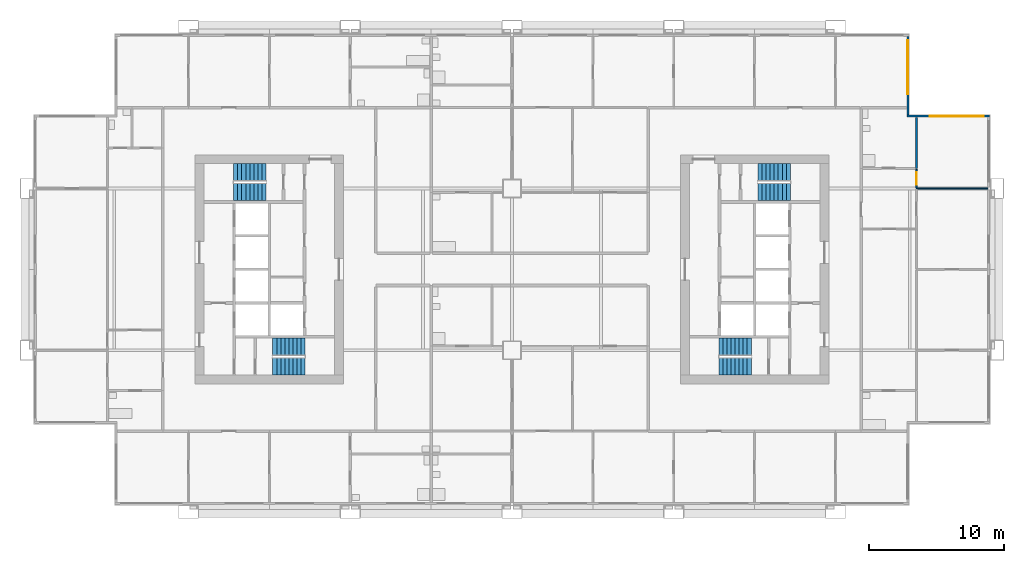
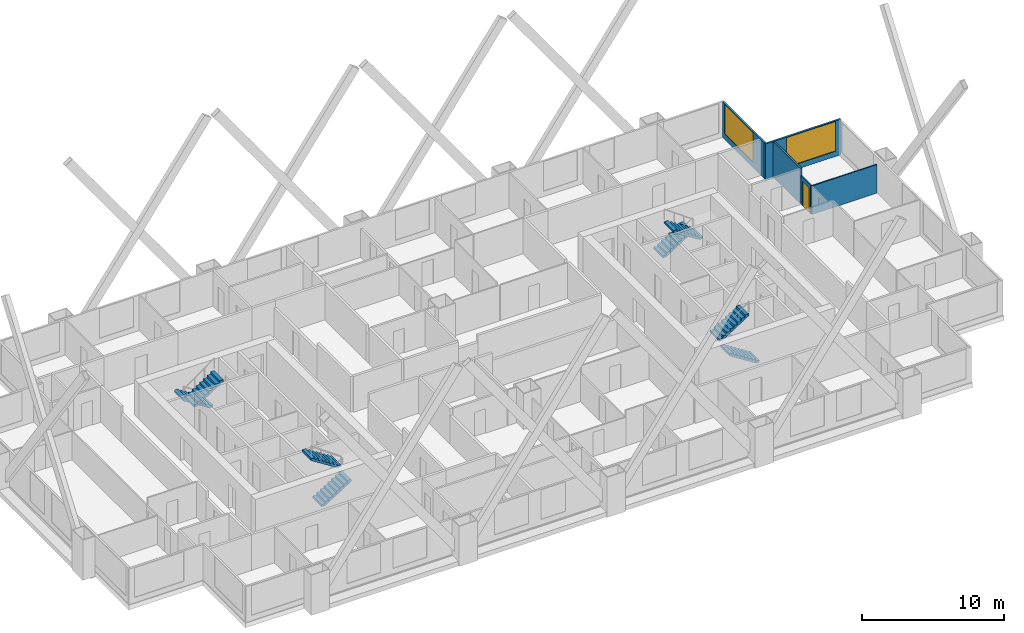
# One storey, part 9 of 11: 8 stair flights, 5 walls, 2 windows, 1 door, 3 openings, 4 elements without a shape of their own.
"""IFC4 building model written with IfcOpenShell, lengths in metres."""

from ifc_helpers import new_model, si_unit, direction, frame, frame_2d, origin, place, context, subcontext, project, spatial, polyline, rectangle, outline, extrude, material, layer, layer_set, type_object, element, fill, aggregate, save


model = new_model("IFC4")

# Units and contexts
model_context = context("Model", 3, precision=1e-05, world=origin(), true_north=direction((0.0, 1.0)))
body_context = subcontext(model_context, "Body", "Model", "MODEL_VIEW")
ifc_project = project(units=[si_unit("LENGTHUNIT", "METRE"), si_unit("AREAUNIT", "SQUARE_METRE"), si_unit("VOLUMEUNIT", "CUBIC_METRE"), si_unit("PLANEANGLEUNIT", "RADIAN"), si_unit("MASSUNIT", "GRAM", prefix="KILO")], contexts=[model_context])

# Site, building, storey
site_placement = place(None, origin())
site = spatial("IfcSite", under=ifc_project, at=site_placement, CompositionType="ELEMENT")
building_placement = place(site_placement, origin())
building = spatial("IfcBuilding", under=site, at=building_placement, Name="Kitamizu Gate Tower and Museum", CompositionType="ELEMENT")
storey_placement = place(building_placement, frame((0.0, 0.0, 113.85009765625)))
storey = spatial("IfcBuildingStorey", under=building, at=storey_placement, Name="L29", CompositionType="ELEMENT", Elevation=113.85009765625)

# Wall
ifc_material_1 = material(Name="Gypsum board on galvanised stud")
ifc_layer_1 = layer(ifc_material_1, 0.10009765625)
ifc_layer_set_1 = layer_set([ifc_layer_1], Name="Gypsum board on galvanised stud")
wall_type_1 = type_object("IfcWallType", Name="Partition 100 NOT RATED", PredefinedType="PARTITIONING", material=ifc_layer_set_1)
wall_1_placement = place(storey_placement, frame((71.280029296875, 36.0, 0.0), z_axis=(0.0, 0.0, 1.0), x_axis=(-1.0, 0.0, 0.0)))
element("IfcWall", 1, at=wall_1_placement, inside=storey, type_object=wall_type_1, Name="Partition L29-073", PredefinedType="PARTITIONING", context=body_context, shape_type="SweptSolid", body=[
    extrude(rectangle(XDim=5.280029296875, YDim=0.10009765625, at=frame_2d((2.64013671875, 0.0))), origin(), (0.0, 0.0, 1.0), 2.449951171875),
])

# Wall, opening, door
wall_2_placement = place(storey_placement, frame((66.0, 37.425048828125, 0.0), z_axis=(0.0, 0.0, 1.0), x_axis=(0.0, -1.0, 0.0)))
wall_2 = element("IfcWall", 2, at=wall_2_placement, inside=storey, type_object=wall_type_1, Name="Partition L29-076", PredefinedType="PARTITIONING", context=body_context, shape_type="SweptSolid", body=[
    extrude(rectangle(XDim=1.375, YDim=0.10009765625, at=frame_2d((0.6875, 0.0))), origin(), (0.0, 0.0, 1.0), 2.449951171875),
])
opening_1_placement = place(wall_2_placement, frame((0.237548828125, 0.0, 0.0)))
opening_1 = element("IfcOpeningElement", 3, at=opening_1_placement, cuts=wall_2, Name="Opening L29-028", PredefinedType="OPENING", context=body_context, shape_type="SweptSolid", body=[
    extrude(rectangle(XDim=0.89990234375, YDim=2.10009765625, at=frame_2d((0.449951171875, 1.050048828125))), frame((0.0, 0.06005859375, 0.0), z_axis=(0.0, -1.0, 0.0), x_axis=(1.0, 0.0, 0.0)), (0.0, 0.0, 1.0), 0.1201171875),
])
ifc_material_2 = material(Name="Timber door set", Category="wood")
door_type = type_object("IfcDoorType", Name="Room door 900", OperationType="NOTDEFINED", PredefinedType="DOOR", material=ifc_material_2)
door_placement = place(opening_1_placement, origin())
door = element("IfcDoor", 4, at=door_placement, inside=storey, type_object=door_type, Name="Door L29-028", OperationType="SINGLE_SWING_LEFT", OverallHeight=2.10009765625, OverallWidth=0.89990234375, PredefinedType="DOOR", context=body_context, shape_type="SweptSolid", body=[
    extrude(rectangle(XDim=0.89990234375, YDim=2.10009765625, at=frame_2d((0.449951171875, 1.050048828125))), frame((0.0, 0.02490234375, 0.0), z_axis=(0.0, -1.0, 0.0), x_axis=(1.0, 0.0, 0.0)), (0.0, 0.0, 1.0), 0.050048828125),
])
fill(opening_1, door)

# Wall
ifc_material_3 = material(Name="Gypsum board on galvanised stud")
ifc_layer_2 = layer(ifc_material_3, 0.14990234375)
ifc_layer_set_2 = layer_set([ifc_layer_2], Name="Gypsum board on galvanised stud")
wall_type_2 = type_object("IfcWallType", Name="Partition 150", PredefinedType="PARTITIONING", material=ifc_layer_set_2)
wall_3_placement = place(storey_placement, frame((66.0, 41.280029296875, 0.0), z_axis=(0.0, 0.0, 1.0), x_axis=(0.0, -1.0, 0.0)))
element("IfcWall", 5, at=wall_3_placement, inside=storey, type_object=wall_type_2, Name="Partition L29-077", PredefinedType="PARTITIONING", context=body_context, shape_type="SweptSolid", body=[
    extrude(rectangle(XDim=3.780029296875, YDim=0.14990234375, at=frame_2d((1.89013671875, 0.0))), origin(), (0.0, 0.0, 1.0), 3.0498046875),
])

# Wall, opening, window
ifc_material_4 = material(Name="Bronze anodised aluminium frame with insulated spandrel and tinted glass", Category="aluminium")
ifc_layer_3 = layer(ifc_material_4, 0.14990234375)
ifc_layer_set_3 = layer_set([ifc_layer_3], Name="Bronze anodised aluminium frame with insulated spandrel and tinted glass")
wall_type_3 = type_object("IfcWallType", Name="WINDOW WALL 150 BRONZE FRAME EI 30", PredefinedType="ELEMENTEDWALL", material=ifc_layer_set_3)
wall_4_placement = place(storey_placement, frame((65.2900390625, 41.364990234375, 0.0), z_axis=(0.0, 0.0, 1.0), x_axis=(1.0, 0.0, 0.0)))
wall_4 = element("IfcWall", 6, at=wall_4_placement, inside=storey, type_object=wall_type_3, Name="Window wall north L29", PredefinedType="ELEMENTEDWALL", context=body_context, shape_type="SweptSolid", body=[
    extrude(rectangle(XDim=6.14990234375, YDim=0.14990234375, at=frame_2d((3.074951171875, 0.0))), origin(), (0.0, 0.0, 1.0), 3.0498046875),
])
opening_2_placement = place(wall_4_placement, frame((1.7099609375, 0.0, 0.449951171875)))
opening_2 = element("IfcOpeningElement", 7, at=opening_2_placement, cuts=wall_4, Name="Opening W16", PredefinedType="OPENING", context=body_context, shape_type="SweptSolid", body=[
    extrude(rectangle(XDim=4.0, YDim=2.550048828125, at=frame_2d((2.0, 1.27490234375))), frame((0.0, 0.0849609375, 0.0), z_axis=(0.0, -1.0, 0.0), x_axis=(1.0, 0.0, 0.0)), (0.0, 0.0, 1.0), 0.169921875),
])
ifc_material_5 = material(Name="Bronze anodised aluminium frame, tinted triple glazing", Category="aluminium")
window_type = type_object("IfcWindowType", Name="WINDOW 4000 x 2550 SILL 450", PartitioningType="SINGLE_PANEL", PredefinedType="WINDOW", material=ifc_material_5)
window_1_placement = place(opening_2_placement, origin())
window_1 = element("IfcWindow", 8, at=window_1_placement, inside=storey, type_object=window_type, Name="Window W16 L29", OverallHeight=2.550048828125, OverallWidth=4.0, PartitioningType="SINGLE_PANEL", PredefinedType="WINDOW", context=body_context, shape_type="SweptSolid", body=[
    extrude(rectangle(XDim=4.0, YDim=2.550048828125, at=frame_2d((2.0, 1.27490234375))), frame((0.0, 0.030029296875, 0.0), z_axis=(0.0, -1.0, 0.0), x_axis=(1.0, 0.0, 0.0)), (0.0, 0.0, 1.0), 0.06005859375),
])
fill(opening_2, window_1)

wall_5_placement = place(storey_placement, frame((65.364990234375, 41.43994140625, 0.0), z_axis=(0.0, 0.0, 1.0), x_axis=(0.0, 1.0, 0.0)))
wall_5 = element("IfcWall", 9, at=wall_5_placement, inside=storey, type_object=wall_type_3, Name="Window wall east L29", PredefinedType="ELEMENTEDWALL", context=body_context, shape_type="SweptSolid", body=[
    extrude(rectangle(XDim=5.85009765625, YDim=0.14990234375, at=frame_2d((2.925048828125, 0.0))), origin(), (0.0, 0.0, 1.0), 3.0498046875),
])
opening_3_placement = place(wall_5_placement, frame((1.56005859375, 0.0, 0.449951171875)))
opening_3 = element("IfcOpeningElement", 10, at=opening_3_placement, cuts=wall_5, Name="Opening W16", PredefinedType="OPENING", context=body_context, shape_type="SweptSolid", body=[
    extrude(rectangle(XDim=4.0, YDim=2.550048828125, at=frame_2d((2.0, 1.27490234375))), frame((0.0, 0.0849609375, 0.0), z_axis=(0.0, -1.0, 0.0), x_axis=(1.0, 0.0, 0.0)), (0.0, 0.0, 1.0), 0.169921875),
])
window_2_placement = place(opening_3_placement, origin())
window_2 = element("IfcWindow", 11, at=window_2_placement, inside=storey, type_object=window_type, Name="Window W16 L29", OverallHeight=2.550048828125, OverallWidth=4.0, PartitioningType="SINGLE_PANEL", PredefinedType="WINDOW", context=body_context, shape_type="SweptSolid", body=[
    extrude(rectangle(XDim=4.0, YDim=2.550048828125, at=frame_2d((2.0, 1.27490234375))), frame((0.0, 0.030029296875, 0.0), z_axis=(0.0, -1.0, 0.0), x_axis=(1.0, 0.0, 0.0)), (0.0, 0.0, 1.0), 0.06005859375),
])
fill(opening_3, window_2)

# Stair, stair flights
ifc_material_6 = material(Name="Concrete Fc42", Category="concrete")
stair_type = type_object("IfcStairType", Name="Exit stair 1275 wide 192 rise 300 going", PredefinedType="HALF_TURN_STAIR", material=ifc_material_6)
stair_1_placement = place(storey_placement, origin())
stair_1 = element("IfcStair", 12, at=stair_1_placement, inside=storey, type_object=stair_type, Name="Exit stair ST1", PredefinedType="HALF_TURN_STAIR")
ifc_material_7 = material(Name="Concrete Fc42", Category="concrete")
stair_flight_type = type_object("IfcStairFlightType", Name="Stair flight 1275 wide 192 rise 300 going", PredefinedType="STRAIGHT", material=ifc_material_7)
stair_flight_1_placement = place(storey_placement, frame((18.25, 22.78759765625, 0.0), z_axis=(0.0, 0.0, 1.0), x_axis=(1.0, 0.0, 0.0)))
stair_flight_1 = element("IfcStairFlight", 13, at=stair_flight_1_placement, type_object=stair_flight_type, Name="ST1 flight 1", NumberOfRisers=9, NumberOfTreads=8, PredefinedType="STRAIGHT", RiserHeight=0.191666667, TreadLength=0.3, context=body_context, shape_type="SweptSolid", body=[
    extrude(outline(polyline([(0.0, 0.0), (0.0, 0.191650390625), (0.300048828125, 0.191650390625), (0.300048828125, 0.38330078125), (0.60009765625, 0.38330078125), (0.60009765625, 0.574951171875), (0.89990234375, 0.574951171875), (0.89990234375, 0.7666015625), (1.199951171875, 0.7666015625), (1.199951171875, 0.958251953125), (1.5, 0.958251953125), (1.5, 1.14990234375), (1.800048828125, 1.14990234375), (1.800048828125, 1.341552734375), (2.10009765625, 1.341552734375), (2.10009765625, 1.533447265625), (2.39990234375, 1.533447265625), (2.39990234375, 1.72509765625), (2.39990234375, 1.35546875), (0.2783203125, 0.0), (0.0, 0.0)])), frame((0.0, 0.637451171875, 0.0), z_axis=(0.0, -1.0, 0.0), x_axis=(1.0, 0.0, 0.0)), (0.0, 0.0, 1.0), 1.27490234375),
])
stair_flight_2_placement = place(storey_placement, frame((20.64990234375, 24.262451171875, 1.724853515625), z_axis=(0.0, 0.0, 1.0), x_axis=(-1.0, 0.0, 0.0)))
stair_flight_2 = element("IfcStairFlight", 14, at=stair_flight_2_placement, type_object=stair_flight_type, Name="ST1 flight 2", NumberOfRisers=9, NumberOfTreads=8, PredefinedType="STRAIGHT", RiserHeight=0.191666667, TreadLength=0.3, context=body_context, shape_type="SweptSolid", body=[
    extrude(outline(polyline([(0.0, 0.0), (0.0, 0.191650390625), (0.300048828125, 0.191650390625), (0.300048828125, 0.38330078125), (0.60009765625, 0.38330078125), (0.60009765625, 0.574951171875), (0.89990234375, 0.574951171875), (0.89990234375, 0.7666015625), (1.199951171875, 0.7666015625), (1.199951171875, 0.958251953125), (1.5, 0.958251953125), (1.5, 1.14990234375), (1.800048828125, 1.14990234375), (1.800048828125, 1.341552734375), (2.10009765625, 1.341552734375), (2.10009765625, 1.533447265625), (2.39990234375, 1.533447265625), (2.39990234375, 1.72509765625), (2.39990234375, 1.35546875), (0.2783203125, 0.0), (0.0, 0.0)])), frame((0.0, 0.637451171875, 0.0), z_axis=(0.0, -1.0, 0.0), x_axis=(1.0, 0.0, 0.0)), (0.0, 0.0, 1.0), 1.27490234375),
])
aggregate(stair_1, [stair_flight_1, stair_flight_2])

stair_2_placement = place(storey_placement, origin())
stair_2 = element("IfcStair", 15, at=stair_2_placement, inside=storey, type_object=stair_type, Name="Exit stair ST2", PredefinedType="HALF_TURN_STAIR")
stair_flight_3_placement = place(storey_placement, frame((17.75, 37.21240234375, 0.0), z_axis=(0.0, 0.0, 1.0), x_axis=(-1.0, 0.0, 0.0)))
stair_flight_3 = element("IfcStairFlight", 16, at=stair_flight_3_placement, type_object=stair_flight_type, Name="ST2 flight 1", NumberOfRisers=9, NumberOfTreads=8, PredefinedType="STRAIGHT", RiserHeight=0.191666667, TreadLength=0.3, context=body_context, shape_type="SweptSolid", body=[
    extrude(outline(polyline([(0.0, 0.0), (0.0, 0.191650390625), (0.300048828125, 0.191650390625), (0.300048828125, 0.38330078125), (0.60009765625, 0.38330078125), (0.60009765625, 0.574951171875), (0.89990234375, 0.574951171875), (0.89990234375, 0.7666015625), (1.199951171875, 0.7666015625), (1.199951171875, 0.958251953125), (1.5, 0.958251953125), (1.5, 1.14990234375), (1.800048828125, 1.14990234375), (1.800048828125, 1.341552734375), (2.10009765625, 1.341552734375), (2.10009765625, 1.533447265625), (2.39990234375, 1.533447265625), (2.39990234375, 1.72509765625), (2.39990234375, 1.35546875), (0.2783203125, 0.0), (0.0, 0.0)])), frame((0.0, 0.637451171875, 0.0), z_axis=(0.0, -1.0, 0.0), x_axis=(1.0, 0.0, 0.0)), (0.0, 0.0, 1.0), 1.27490234375),
])
stair_flight_4_placement = place(storey_placement, frame((15.35009765625, 35.737548828125, 1.724853515625), z_axis=(0.0, 0.0, 1.0), x_axis=(1.0, 0.0, 0.0)))
stair_flight_4 = element("IfcStairFlight", 17, at=stair_flight_4_placement, type_object=stair_flight_type, Name="ST2 flight 2", NumberOfRisers=9, NumberOfTreads=8, PredefinedType="STRAIGHT", RiserHeight=0.191666667, TreadLength=0.3, context=body_context, shape_type="SweptSolid", body=[
    extrude(outline(polyline([(0.0, 0.0), (0.0, 0.191650390625), (0.300048828125, 0.191650390625), (0.300048828125, 0.38330078125), (0.60009765625, 0.38330078125), (0.60009765625, 0.574951171875), (0.89990234375, 0.574951171875), (0.89990234375, 0.7666015625), (1.199951171875, 0.7666015625), (1.199951171875, 0.958251953125), (1.5, 0.958251953125), (1.5, 1.14990234375), (1.800048828125, 1.14990234375), (1.800048828125, 1.341552734375), (2.10009765625, 1.341552734375), (2.10009765625, 1.533447265625), (2.39990234375, 1.533447265625), (2.39990234375, 1.72509765625), (2.39990234375, 1.35546875), (0.2783203125, 0.0), (0.0, 0.0)])), frame((0.0, 0.637451171875, 0.0), z_axis=(0.0, -1.0, 0.0), x_axis=(1.0, 0.0, 0.0)), (0.0, 0.0, 1.0), 1.27490234375),
])
aggregate(stair_2, [stair_flight_3, stair_flight_4])

stair_3_placement = place(storey_placement, origin())
stair_3 = element("IfcStair", 18, at=stair_3_placement, inside=storey, type_object=stair_type, Name="Exit stair ST3", PredefinedType="HALF_TURN_STAIR")
stair_flight_5_placement = place(storey_placement, frame((53.75, 22.78759765625, 0.0), z_axis=(0.0, 0.0, 1.0), x_axis=(-1.0, 0.0, 0.0)))
stair_flight_5 = element("IfcStairFlight", 19, at=stair_flight_5_placement, type_object=stair_flight_type, Name="ST3 flight 1", NumberOfRisers=9, NumberOfTreads=8, PredefinedType="STRAIGHT", RiserHeight=0.191666667, TreadLength=0.3, context=body_context, shape_type="SweptSolid", body=[
    extrude(outline(polyline([(0.0, 0.0), (0.0, 0.191650390625), (0.300048828125, 0.191650390625), (0.300048828125, 0.38330078125), (0.60009765625, 0.38330078125), (0.60009765625, 0.574951171875), (0.89990234375, 0.574951171875), (0.89990234375, 0.7666015625), (1.199951171875, 0.7666015625), (1.199951171875, 0.958251953125), (1.5, 0.958251953125), (1.5, 1.14990234375), (1.800048828125, 1.14990234375), (1.800048828125, 1.341552734375), (2.10009765625, 1.341552734375), (2.10009765625, 1.533447265625), (2.39990234375, 1.533447265625), (2.39990234375, 1.72509765625), (2.39990234375, 1.35546875), (0.2783203125, 0.0), (0.0, 0.0)])), frame((0.0, 0.637451171875, 0.0), z_axis=(0.0, -1.0, 0.0), x_axis=(1.0, 0.0, 0.0)), (0.0, 0.0, 1.0), 1.27490234375),
])
stair_flight_6_placement = place(storey_placement, frame((51.35009765625, 24.262451171875, 1.724853515625), z_axis=(0.0, 0.0, 1.0), x_axis=(1.0, 0.0, 0.0)))
stair_flight_6 = element("IfcStairFlight", 20, at=stair_flight_6_placement, type_object=stair_flight_type, Name="ST3 flight 2", NumberOfRisers=9, NumberOfTreads=8, PredefinedType="STRAIGHT", RiserHeight=0.191666667, TreadLength=0.3, context=body_context, shape_type="SweptSolid", body=[
    extrude(outline(polyline([(0.0, 0.0), (0.0, 0.191650390625), (0.300048828125, 0.191650390625), (0.300048828125, 0.38330078125), (0.60009765625, 0.38330078125), (0.60009765625, 0.574951171875), (0.89990234375, 0.574951171875), (0.89990234375, 0.7666015625), (1.199951171875, 0.7666015625), (1.199951171875, 0.958251953125), (1.5, 0.958251953125), (1.5, 1.14990234375), (1.800048828125, 1.14990234375), (1.800048828125, 1.341552734375), (2.10009765625, 1.341552734375), (2.10009765625, 1.533447265625), (2.39990234375, 1.533447265625), (2.39990234375, 1.72509765625), (2.39990234375, 1.35546875), (0.2783203125, 0.0), (0.0, 0.0)])), frame((0.0, 0.637451171875, 0.0), z_axis=(0.0, -1.0, 0.0), x_axis=(1.0, 0.0, 0.0)), (0.0, 0.0, 1.0), 1.27490234375),
])
aggregate(stair_3, [stair_flight_5, stair_flight_6])

stair_4_placement = place(storey_placement, origin())
stair_4 = element("IfcStair", 21, at=stair_4_placement, inside=storey, type_object=stair_type, Name="Exit stair ST4", PredefinedType="HALF_TURN_STAIR")
stair_flight_7_placement = place(storey_placement, frame((54.25, 37.21240234375, 0.0), z_axis=(0.0, 0.0, 1.0), x_axis=(1.0, 0.0, 0.0)))
stair_flight_7 = element("IfcStairFlight", 22, at=stair_flight_7_placement, type_object=stair_flight_type, Name="ST4 flight 1", NumberOfRisers=9, NumberOfTreads=8, PredefinedType="STRAIGHT", RiserHeight=0.191666667, TreadLength=0.3, context=body_context, shape_type="SweptSolid", body=[
    extrude(outline(polyline([(0.0, 0.0), (0.0, 0.191650390625), (0.300048828125, 0.191650390625), (0.300048828125, 0.38330078125), (0.60009765625, 0.38330078125), (0.60009765625, 0.574951171875), (0.89990234375, 0.574951171875), (0.89990234375, 0.7666015625), (1.199951171875, 0.7666015625), (1.199951171875, 0.958251953125), (1.5, 0.958251953125), (1.5, 1.14990234375), (1.800048828125, 1.14990234375), (1.800048828125, 1.341552734375), (2.10009765625, 1.341552734375), (2.10009765625, 1.533447265625), (2.39990234375, 1.533447265625), (2.39990234375, 1.72509765625), (2.39990234375, 1.35546875), (0.2783203125, 0.0), (0.0, 0.0)])), frame((0.0, 0.637451171875, 0.0), z_axis=(0.0, -1.0, 0.0), x_axis=(1.0, 0.0, 0.0)), (0.0, 0.0, 1.0), 1.27490234375),
])
stair_flight_8_placement = place(storey_placement, frame((56.64990234375, 35.737548828125, 1.724853515625), z_axis=(0.0, 0.0, 1.0), x_axis=(-1.0, 0.0, 0.0)))
stair_flight_8 = element("IfcStairFlight", 23, at=stair_flight_8_placement, type_object=stair_flight_type, Name="ST4 flight 2", NumberOfRisers=9, NumberOfTreads=8, PredefinedType="STRAIGHT", RiserHeight=0.191666667, TreadLength=0.3, context=body_context, shape_type="SweptSolid", body=[
    extrude(outline(polyline([(0.0, 0.0), (0.0, 0.191650390625), (0.300048828125, 0.191650390625), (0.300048828125, 0.38330078125), (0.60009765625, 0.38330078125), (0.60009765625, 0.574951171875), (0.89990234375, 0.574951171875), (0.89990234375, 0.7666015625), (1.199951171875, 0.7666015625), (1.199951171875, 0.958251953125), (1.5, 0.958251953125), (1.5, 1.14990234375), (1.800048828125, 1.14990234375), (1.800048828125, 1.341552734375), (2.10009765625, 1.341552734375), (2.10009765625, 1.533447265625), (2.39990234375, 1.533447265625), (2.39990234375, 1.72509765625), (2.39990234375, 1.35546875), (0.2783203125, 0.0), (0.0, 0.0)])), frame((0.0, 0.637451171875, 0.0), z_axis=(0.0, -1.0, 0.0), x_axis=(1.0, 0.0, 0.0)), (0.0, 0.0, 1.0), 1.27490234375),
])
aggregate(stair_4, [stair_flight_7, stair_flight_8])

save(model, "model.ifc")
